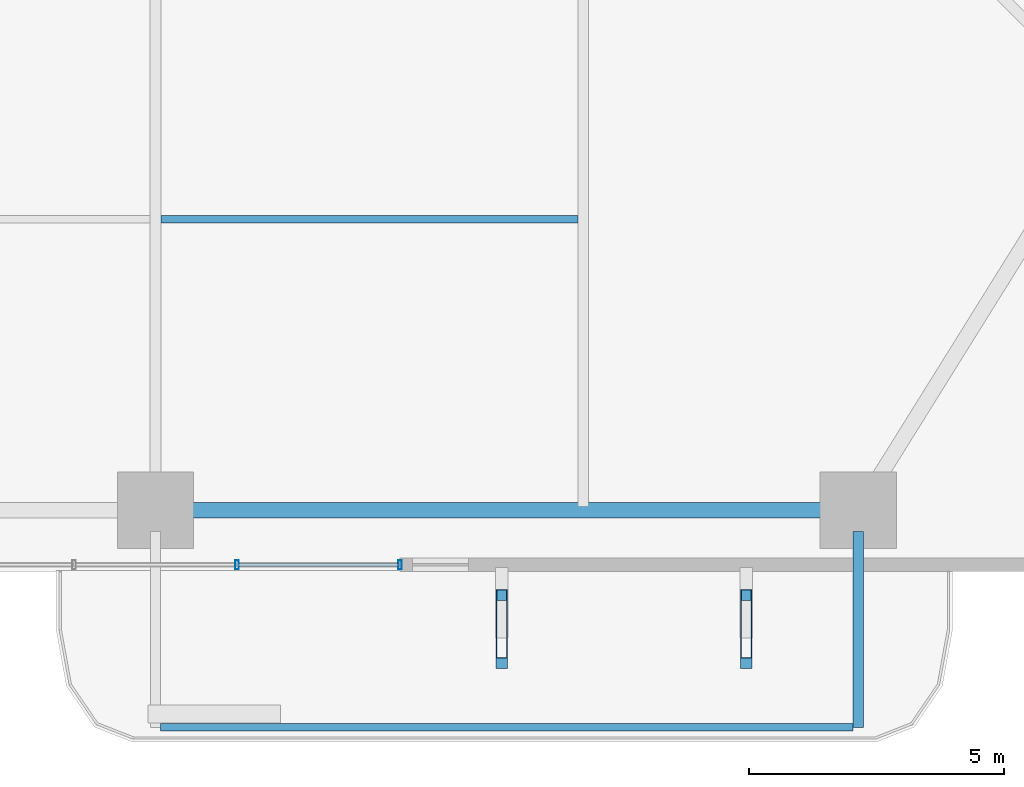
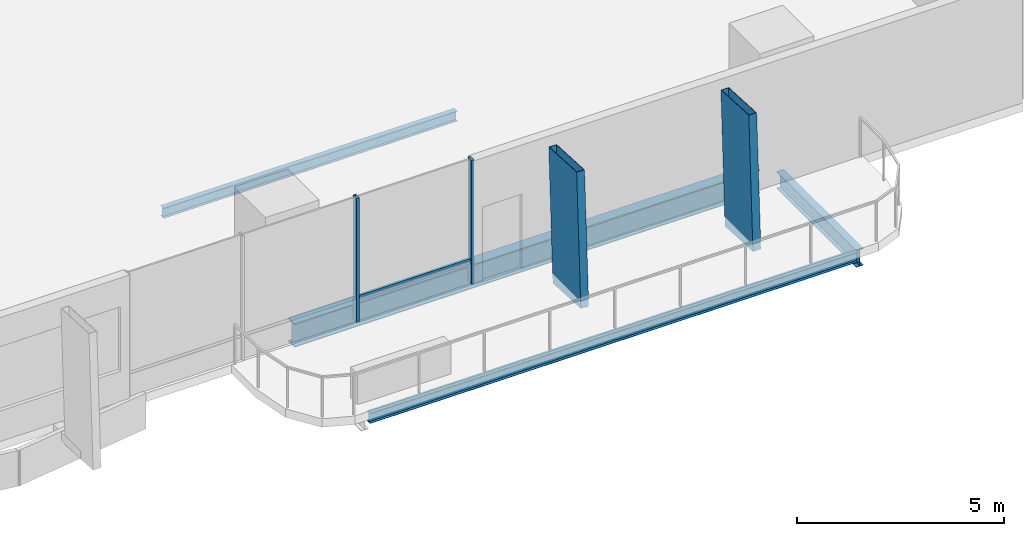
# One storey, part 6 of 24: 5 members, 4 beams, 1 element without a shape of its own.
"""IFC4 building model written with IfcOpenShell, lengths in metres."""

from ifc_helpers import new_model, si_unit, direction, frame, origin, origin_2d, place, context, subcontext, project, spatial, hollow_rectangle, i_section, extrude, material, layer, layer_set, material_profile, profile_set, type_object, element, aggregate, save


model = new_model("IFC4")

# Units and contexts
model_context = context("Model", 3, precision=1e-05, world=origin(), true_north=direction((0.0, 1.0)))
body_context = subcontext(model_context, "Body", "Model", "MODEL_VIEW")
ifc_project = project(units=[si_unit("LENGTHUNIT", "METRE"), si_unit("AREAUNIT", "SQUARE_METRE"), si_unit("VOLUMEUNIT", "CUBIC_METRE"), si_unit("PLANEANGLEUNIT", "RADIAN"), si_unit("MASSUNIT", "GRAM", prefix="KILO")], contexts=[model_context])

# Site, building, storey
site_placement = place(None, origin())
site = spatial("IfcSite", under=ifc_project, at=site_placement, CompositionType="ELEMENT")
building_placement = place(site_placement, origin())
building = spatial("IfcBuilding", under=site, at=building_placement, Name="Belovzor Exchange Tower", CompositionType="ELEMENT")
storey_placement = place(building_placement, frame((0.0, 0.0, 72.89990234375)))
storey = spatial("IfcBuildingStorey", under=building, at=storey_placement, Name="L17", CompositionType="ELEMENT", Elevation=72.89990234375)

# Members
ifc_material_1 = material(Name="Extruded Architectural Terracotta on Steel S355 Carrier", Category="masonry")
ifc_material_profile_1 = material_profile(ifc_material_1, hollow_rectangle(XDim=0.219970703125, YDim=1.35009765625, WallThickness=0.013916015625, at=origin_2d()))
ifc_profile_set_1 = profile_set([ifc_material_profile_1], Name="Extruded Architectural Terracotta on Steel S355 Carrier")
member_type_1 = type_object("IfcMemberType", Name="Base Arc Sweeping Terracotta Pylon Fin 1450", PredefinedType="USERDEFINED", material=ifc_profile_set_1)
for number, where, z_axis, x_axis, name in (
    (1, (35.60009765625, -0.326904296875, -0.25), (0.0, 0.051449765599, 0.998675583771), (-1.0, 0.0, 0.0), "FIN-TC145 Terracotta Facade Fin L17 S3"),
    (2, (40.39990234375, -0.326904296875, -0.25), (0.0, 0.051449765599, 0.998675583771), (-1.0, 0.0, 0.0), "FIN-TC145 Terracotta Facade Fin L17 S4"),
):
    element("IfcMember", number, at=place(storey_placement, frame(where, z_axis=z_axis, x_axis=x_axis)), inside=storey, type_object=member_type_1, Name=name, ObjectType="FIN", PredefinedType="USERDEFINED", context=body_context, shape_type="SweptSolid", body=[
        extrude(hollow_rectangle(XDim=0.219970703125, YDim=1.35009765625, WallThickness=0.013916015625, at=origin_2d()), origin(), (0.0, 0.0, 1.0), 3.9052734375),
    ])

# Beams
ifc_material_2 = material(Name="Steel S355", Category="steel")
ifc_material_profile_2 = material_profile(ifc_material_2, i_section(OverallWidth=0.199951171875, OverallDepth=0.5, WebThickness=0.01025390625, FlangeThickness=0.01611328125, at=origin_2d()))
ifc_profile_set_2 = profile_set([ifc_material_profile_2], Name="Steel S355")
beam_type_1 = type_object("IfcBeamType", Name="Planted Balcony Cantilever Beam IPE 500", PredefinedType="BEAM", material=ifc_profile_set_2)
beam_1_placement = place(storey_placement, frame((42.60009765625, 1.68798828125, -0.5), z_axis=(0.0, -1.0, 0.0), x_axis=(1.0, 0.0, 0.0)))
element("IfcBeam", 3, at=beam_1_placement, inside=storey, type_object=beam_type_1, Name="BC-500 Planted Balcony Cantilever Beam IPE 500", PredefinedType="BEAM", context=body_context, shape_type="SweptSolid", body=[
    extrude(i_section(OverallWidth=0.199951171875, OverallDepth=0.5, WebThickness=0.01025390625, FlangeThickness=0.01611328125, at=origin_2d()), origin(), (0.0, 0.0, 1.0), 3.85009765625),
])
ifc_material_3 = material(Name="Steel S355", Category="steel")
ifc_material_profile_3 = material_profile(ifc_material_3, i_section(OverallWidth=0.14990234375, OverallDepth=0.300048828125, WebThickness=0.007080078125, FlangeThickness=0.0107421875, at=origin_2d()))
ifc_profile_set_3 = profile_set([ifc_material_profile_3], Name="Steel S355")
beam_type_2 = type_object("IfcBeamType", Name="Planted Balcony Fascia Edge Beam IPE 300", PredefinedType="BEAM", material=ifc_profile_set_3)
beam_2_placement = place(storey_placement, frame((28.89990234375, -2.162109375, -0.39990234375), z_axis=(1.0, 0.0, 0.0), x_axis=(0.0, 1.0, 0.0)))
element("IfcBeam", 4, at=beam_2_placement, inside=storey, type_object=beam_type_2, Name="BC-300 Planted Balcony Fascia Edge Beam IPE 300", PredefinedType="BEAM", context=body_context, shape_type="SweptSolid", body=[
    extrude(i_section(OverallWidth=0.14990234375, OverallDepth=0.300048828125, WebThickness=0.007080078125, FlangeThickness=0.0107421875, at=origin_2d()), origin(), (0.0, 0.0, 1.0), 13.60009765625),
])
ifc_material_4 = material(Name="Steel S355", Category="steel")
ifc_material_profile_4 = material_profile(ifc_material_4, i_section(OverallWidth=0.14990234375, OverallDepth=0.300048828125, WebThickness=0.007080078125, FlangeThickness=0.0107421875, at=origin_2d()))
ifc_profile_set_4 = profile_set([ifc_material_profile_4], Name="Steel S355")
beam_type_3 = type_object("IfcBeamType", Name="Secondary Trim Floor Joist IPE 300", PredefinedType="BEAM", material=ifc_profile_set_4)
beam_3_placement = place(storey_placement, frame((28.905029296875, 7.81494140625, -0.39990234375), z_axis=(1.0, 0.0, 0.0), x_axis=(0.0, 1.0, 0.0)))
element("IfcBeam", 5, at=beam_3_placement, inside=storey, type_object=beam_type_3, Name="FJ-300 Secondary Trim Floor Joist IPE 300", PredefinedType="BEAM", context=body_context, shape_type="SweptSolid", body=[
    extrude(i_section(OverallWidth=0.14990234375, OverallDepth=0.300048828125, WebThickness=0.007080078125, FlangeThickness=0.0107421875, at=origin_2d()), origin(), (0.0, 0.0, 1.0), 8.18994140625),
])

# Curtain wall, members
ifc_material_5 = material(Name="Anodised Aluminium Framing", Category="aluminium")
ifc_layer = layer(ifc_material_5, 0.179931640625)
ifc_layer_set = layer_set([ifc_layer], Name="Anodised Aluminium Framing")
curtain_wall_type = type_object("IfcCurtainWallType", Name="Recessed Loggia Low-Iron Triple-Glazed Curtain Wall", PredefinedType="NOTDEFINED", material=ifc_layer_set)
curtain_wall_placement = place(storey_placement, origin())
curtain_wall = element("IfcCurtainWall", 6, at=curtain_wall_placement, inside=storey, type_object=curtain_wall_type, Name="CW3 Recessed Loggia Low-Iron Triple-Glazed Curtain Wall L17", PredefinedType="NOTDEFINED")
ifc_material_6 = material(Name="Steel S355", Category="steel")
ifc_material_profile_5 = material_profile(ifc_material_6, hollow_rectangle(XDim=0.074951171875, YDim=0.179931640625, WallThickness=0.0048828125, at=origin_2d()))
ifc_profile_set_5 = profile_set([ifc_material_profile_5], Name="Steel S355")
member_type_2 = type_object("IfcMemberType", Name="Thermally Broken Curtain Wall Mullion 180x75", PredefinedType="MULLION", material=ifc_profile_set_5)
member_1_placement = place(storey_placement, frame((33.60009765625, 1.030029296875, 0.0), z_axis=(0.0, 0.0, 1.0), x_axis=(-1.0, 0.0, 0.0)))
member_1 = element("IfcMember", 7, at=member_1_placement, type_object=member_type_2, Name="CW-M180 Curtain Wall Mullion 1", PredefinedType="MULLION", context=body_context, shape_type="SweptSolid", body=[
    extrude(hollow_rectangle(XDim=0.074951171875, YDim=0.179931640625, WallThickness=0.0048828125, at=origin_2d()), origin(), (0.0, 0.0, 1.0), 3.650146484375),
])
member_2_placement = place(storey_placement, frame((30.39990234375, 1.030029296875, 0.0), z_axis=(0.0, 0.0, 1.0), x_axis=(-1.0, 0.0, 0.0)))
member_2 = element("IfcMember", 8, at=member_2_placement, type_object=member_type_2, Name="CW-M180 Curtain Wall Mullion 2", PredefinedType="MULLION", context=body_context, shape_type="SweptSolid", body=[
    extrude(hollow_rectangle(XDim=0.074951171875, YDim=0.179931640625, WallThickness=0.0048828125, at=origin_2d()), origin(), (0.0, 0.0, 1.0), 3.650146484375),
])
ifc_material_7 = material(Name="Steel S355", Category="steel")
ifc_material_profile_6 = material_profile(ifc_material_7, hollow_rectangle(XDim=0.06005859375, YDim=0.14990234375, WallThickness=0.00390625, at=origin_2d()))
ifc_profile_set_6 = profile_set([ifc_material_profile_6], Name="Steel S355")
member_type_3 = type_object("IfcMemberType", Name="Thermally Broken Curtain Wall Transom 150x60", PredefinedType="USERDEFINED", material=ifc_profile_set_6)
member_3_placement = place(storey_placement, frame((33.592041015625, 1.030029296875, 0.650146484375), z_axis=(-1.0, 0.0, 0.0), x_axis=(0.0, -1.0, 0.0)))
member_3 = element("IfcMember", 9, at=member_3_placement, type_object=member_type_3, Name="CW-T150 Curtain Wall Transom 1", ObjectType="TRANSOM", PredefinedType="USERDEFINED", context=body_context, shape_type="SweptSolid", body=[
    extrude(hollow_rectangle(XDim=0.06005859375, YDim=0.14990234375, WallThickness=0.00390625, at=origin_2d()), origin(), (0.0, 0.0, 1.0), 3.18408203125),
])
aggregate(curtain_wall, [member_1, member_2, member_3])

# Beam
ifc_material_8 = material(Name="Steel S355", Category="steel")
ifc_material_profile_7 = material_profile(ifc_material_8, i_section(OverallWidth=0.300048828125, OverallDepth=0.699951171875, WebThickness=0.01708984375, FlangeThickness=0.031982421875, at=origin_2d()))
ifc_profile_set_7 = profile_set([ifc_material_profile_7], Name="Steel S355")
beam_type_4 = type_object("IfcBeamType", Name="Zone 1 Primary Perimeter Girder HEB 700", PredefinedType="BEAM", material=ifc_profile_set_7)
beam_4_placement = place(storey_placement, frame((29.212890625, 2.10009765625, -0.599853515625), z_axis=(1.0, 0.0, 0.0), x_axis=(0.0, 1.0, 0.0)))
element("IfcBeam", 10, at=beam_4_placement, inside=storey, type_object=beam_type_4, Name="FG-Z1 Zone 1 Primary Perimeter Girder HEB 700", PredefinedType="BEAM", context=body_context, shape_type="SweptSolid", body=[
    extrude(i_section(OverallWidth=0.300048828125, OverallDepth=0.699951171875, WebThickness=0.01708984375, FlangeThickness=0.031982421875, at=origin_2d()), origin(), (0.0, 0.0, 1.0), 12.97509765625),
])

save(model, "model.ifc")
